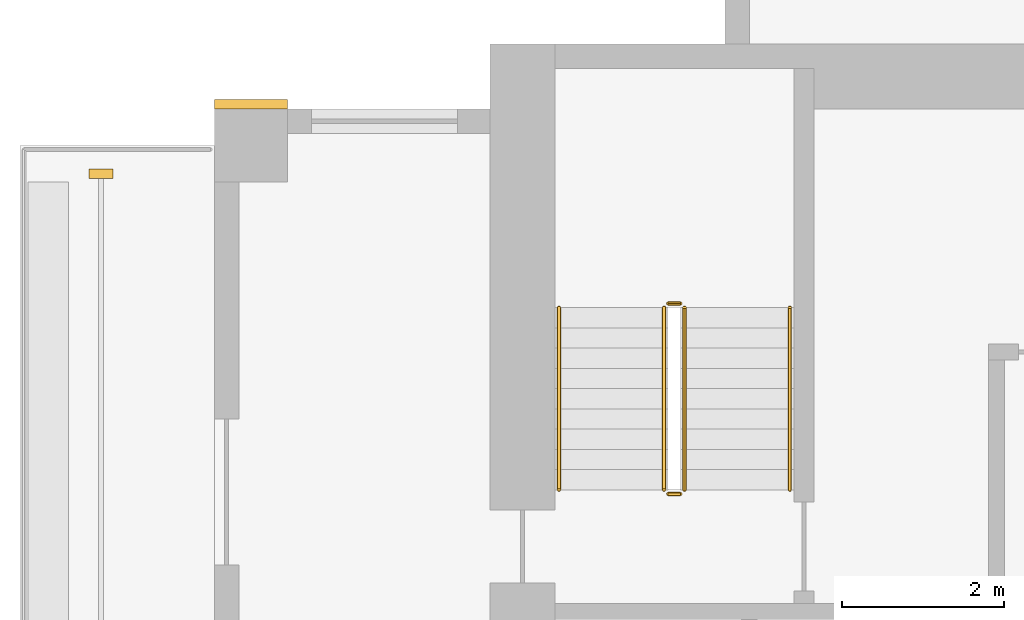
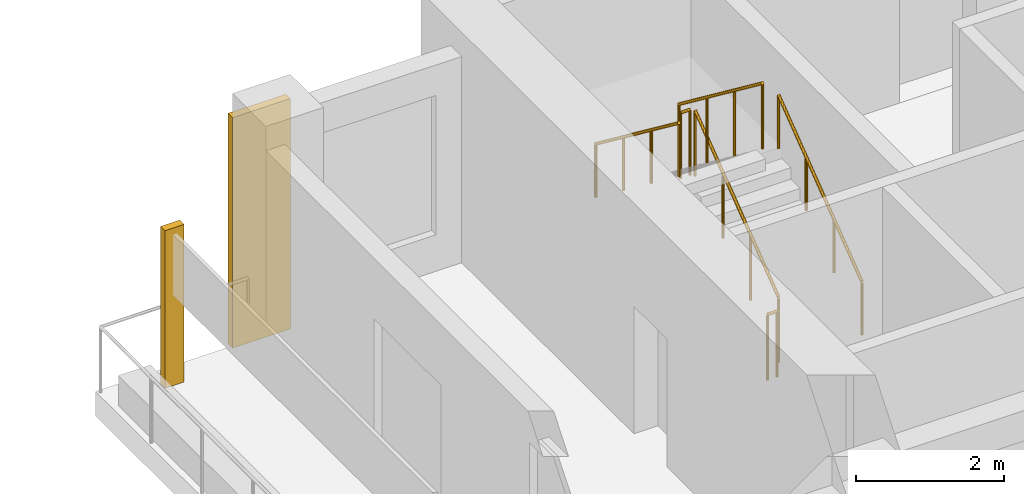
# One storey, part 12 of 15: 6 railings, 2 coverings.
"""IFC4 building model written with IfcOpenShell, lengths in metres."""

from ifc_helpers import new_model, si_unit, direction, frame, origin, origin_2d, place, context, subcontext, project, spatial, rectangle, circle, extrude, source, transform, mapped, material, type_object, element, save


model = new_model("IFC4")

# Units and contexts
model_context = context("Model", 3, precision=1e-05, world=origin(), true_north=direction((0.0, 1.0)))
body_context = subcontext(model_context, "Body", "Model", "MODEL_VIEW")
ifc_project = project(units=[si_unit("LENGTHUNIT", "METRE"), si_unit("AREAUNIT", "SQUARE_METRE"), si_unit("VOLUMEUNIT", "CUBIC_METRE"), si_unit("PLANEANGLEUNIT", "RADIAN"), si_unit("MASSUNIT", "GRAM", prefix="KILO")], contexts=[model_context])

# Site, building, storey
site_placement = place(None, origin())
site = spatial("IfcSite", under=ifc_project, at=site_placement, CompositionType="ELEMENT")
building_placement = place(site_placement, origin())
building = spatial("IfcBuilding", under=site, at=building_placement, Name="Aurelian Terraces", CompositionType="ELEMENT")
storey_placement = place(building_placement, frame((0.0, 0.0, 177.8)))
storey = spatial("IfcBuildingStorey", under=building, at=storey_placement, Name="L38", CompositionType="ELEMENT", Elevation=177.8)

# Railings
ifc_material_1 = material(Name="Stainless steel", Category="steel")
railing_type_1 = type_object("IfcRailingType", Name="Stair guard 1100", PredefinedType="GUARDRAIL", material=ifc_material_1)
railing_1_placement = place(storey_placement, frame((5.8, 16.3, 0.19)))
element("IfcRailing", 1, at=railing_1_placement, inside=storey, type_object=railing_type_1, Name="L38 S1 stair guard 1", PredefinedType="GUARDRAIL", context=body_context, shape_type="SweptSolid", body=[
    extrude(circle(Radius=0.024, at=origin_2d()), frame((0.0, 0.0, 1.076), z_axis=(0.0, 0.796162194123, 0.605083267534), x_axis=(-1.0, 0.0, 0.0)), (0.0, 0.0, 1.0), 2.8261),
    extrude(circle(Radius=0.021, at=origin_2d()), origin(), (0.0, 0.0, 1.0), 1.052),
    extrude(circle(Radius=0.021, at=origin_2d()), frame((0.0, 0.75, 0.57)), (0.0, 0.0, 1.0), 1.052),
    extrude(circle(Radius=0.021, at=origin_2d()), frame((0.0, 1.5, 1.14)), (0.0, 0.0, 1.0), 1.052),
    extrude(circle(Radius=0.021, at=origin_2d()), frame((0.0, 2.25, 1.71)), (0.0, 0.0, 1.0), 1.052),
])
railing_2_placement = place(storey_placement, frame((5.55, 18.55, 2.09)))
element("IfcRailing", 2, at=railing_2_placement, inside=storey, type_object=railing_type_1, Name="L38 S1 stair guard 3", PredefinedType="GUARDRAIL", context=body_context, shape_type="SweptSolid", body=[
    extrude(circle(Radius=0.024, at=origin_2d()), frame((0.0, 0.0, 1.076), z_axis=(0.0, -0.796162194123, 0.605083267534), x_axis=(1.0, 0.0, 0.0)), (0.0, 0.0, 1.0), 2.8261),
    extrude(circle(Radius=0.021, at=origin_2d()), origin(), (0.0, 0.0, 1.0), 1.052),
    extrude(circle(Radius=0.021, at=origin_2d()), frame((0.0, -0.75, 0.57)), (0.0, 0.0, 1.0), 1.052),
    extrude(circle(Radius=0.021, at=origin_2d()), frame((0.0, -1.5, 1.14)), (0.0, 0.0, 1.0), 1.052),
    extrude(circle(Radius=0.021, at=origin_2d()), frame((0.0, -2.25, 1.71)), (0.0, 0.0, 1.0), 1.052),
])
railing_type_2 = type_object("IfcRailingType", Name="Stair handrail", PredefinedType="HANDRAIL", material=ifc_material_1)
railing_3_placement = place(storey_placement, frame((7.1, 16.3, 0.19)))
element("IfcRailing", 3, at=railing_3_placement, inside=storey, type_object=railing_type_2, Name="L38 S1 stair handrail 1", PredefinedType="HANDRAIL", context=body_context, shape_type="SweptSolid", body=[
    extrude(circle(Radius=0.024, at=origin_2d()), frame((0.0, 0.0, 0.876), z_axis=(0.0, 0.796162194123, 0.605083267534), x_axis=(-1.0, 0.0, 0.0)), (0.0, 0.0, 1.0), 2.8261),
    extrude(circle(Radius=0.021, at=origin_2d()), origin(), (0.0, 0.0, 1.0), 0.852),
    extrude(circle(Radius=0.021, at=origin_2d()), frame((0.0, 0.75, 0.57)), (0.0, 0.0, 1.0), 0.852),
    extrude(circle(Radius=0.021, at=origin_2d()), frame((0.0, 1.5, 1.14)), (0.0, 0.0, 1.0), 0.852),
    extrude(circle(Radius=0.021, at=origin_2d()), frame((0.0, 2.25, 1.71)), (0.0, 0.0, 1.0), 0.852),
])
railing_4_placement = place(storey_placement, frame((4.25, 18.55, 2.09)))
element("IfcRailing", 4, at=railing_4_placement, inside=storey, type_object=railing_type_2, Name="L38 S1 stair handrail 2", PredefinedType="HANDRAIL", context=body_context, shape_type="SweptSolid", body=[
    extrude(circle(Radius=0.024, at=origin_2d()), frame((0.0, 0.0, 0.876), z_axis=(0.0, -0.796162194123, 0.605083267534), x_axis=(1.0, 0.0, 0.0)), (0.0, 0.0, 1.0), 2.8261),
    extrude(circle(Radius=0.021, at=origin_2d()), origin(), (0.0, 0.0, 1.0), 0.852),
    extrude(circle(Radius=0.021, at=origin_2d()), frame((0.0, -0.75, 0.57)), (0.0, 0.0, 1.0), 0.852),
    extrude(circle(Radius=0.021, at=origin_2d()), frame((0.0, -1.5, 1.14)), (0.0, 0.0, 1.0), 0.852),
    extrude(circle(Radius=0.021, at=origin_2d()), frame((0.0, -2.25, 1.71)), (0.0, 0.0, 1.0), 0.852),
])

# Coverings
ifc_material_2 = material(Name="Terracotta rainscreen cladding relief", Category="masonry")
covering_type_1 = type_object("IfcCoveringType", Name="FIN-TC", PredefinedType="CLADDING", material=ifc_material_2)
shared_shape_1 = source(origin(), body_context, "Body", "SweptSolid", [
    extrude(rectangle(XDim=0.3, YDim=0.12, at=origin_2d()), origin(), (0.0, 0.0, 1.0), 2.6),
])
covering_1_placement = place(storey_placement, frame((-1.4, 20.2, 0.0), z_axis=(0.0, 0.0, 1.0), x_axis=(1.0, 0.0, 0.0)))
element("IfcCovering", 5, at=covering_1_placement, inside=storey, type_object=covering_type_1, Name="FIN L38 L38-F20-35.1", PredefinedType="CLADDING", context=body_context, shape_type="MappedRepresentation", body=[
    mapped(shared_shape_1, transform((0.0, 0.0, 0.0), scale=1.0)),
])
covering_type_2 = type_object("IfcCoveringType", Name="BAGUETTE-TC", PredefinedType="CLADDING", material=ifc_material_2)
shared_shape_2 = source(origin(), body_context, "Body", "SweptSolid", [
    extrude(rectangle(XDim=0.9, YDim=0.12, at=origin_2d()), origin(), (0.0, 0.0, 1.0), 3.8),
])
covering_2_placement = place(storey_placement, frame((0.45, 21.06, -0.4), z_axis=(0.0, 0.0, 1.0), x_axis=(1.0, 0.0, 0.0)))
element("IfcCovering", 6, at=covering_2_placement, inside=storey, type_object=covering_type_2, Name="BAGUETTE pier L38 5", PredefinedType="CLADDING", context=body_context, shape_type="MappedRepresentation", body=[
    mapped(shared_shape_2, transform((0.0, 0.0, 0.0), scale=1.0)),
])

# Railings
shared_shape_3 = source(origin(), body_context, "Body", "SweptSolid", [
    extrude(circle(Radius=0.024, at=origin_2d()), frame((0.0, 0.0, 1.076), z_axis=(-1.0, 0.0, 0.0), x_axis=(0.0, -1.0, 0.0)), (0.0, 0.0, 1.0), 0.15),
    extrude(circle(Radius=0.021, at=origin_2d()), origin(), (0.0, 0.0, 1.0), 1.052),
    extrude(circle(Radius=0.021, at=origin_2d()), frame((-0.15, 0.0, 0.0)), (0.0, 0.0, 1.0), 1.052),
])
for number, where, name in (
    (7, (5.75, 18.6, 1.9), "L38 S1 stair guard 2"),
    (8, (5.75, 16.25, 0.0), "L38 S1 stair guard 4"),
):
    element("IfcRailing", number, at=place(storey_placement, frame(where)), inside=storey, type_object=railing_type_1, Name=name, PredefinedType="GUARDRAIL", context=body_context, shape_type="MappedRepresentation", body=[
        mapped(shared_shape_3, transform((0.0, 0.0, 0.0), scale=1.0)),
    ])

save(model, "model.ifc")
